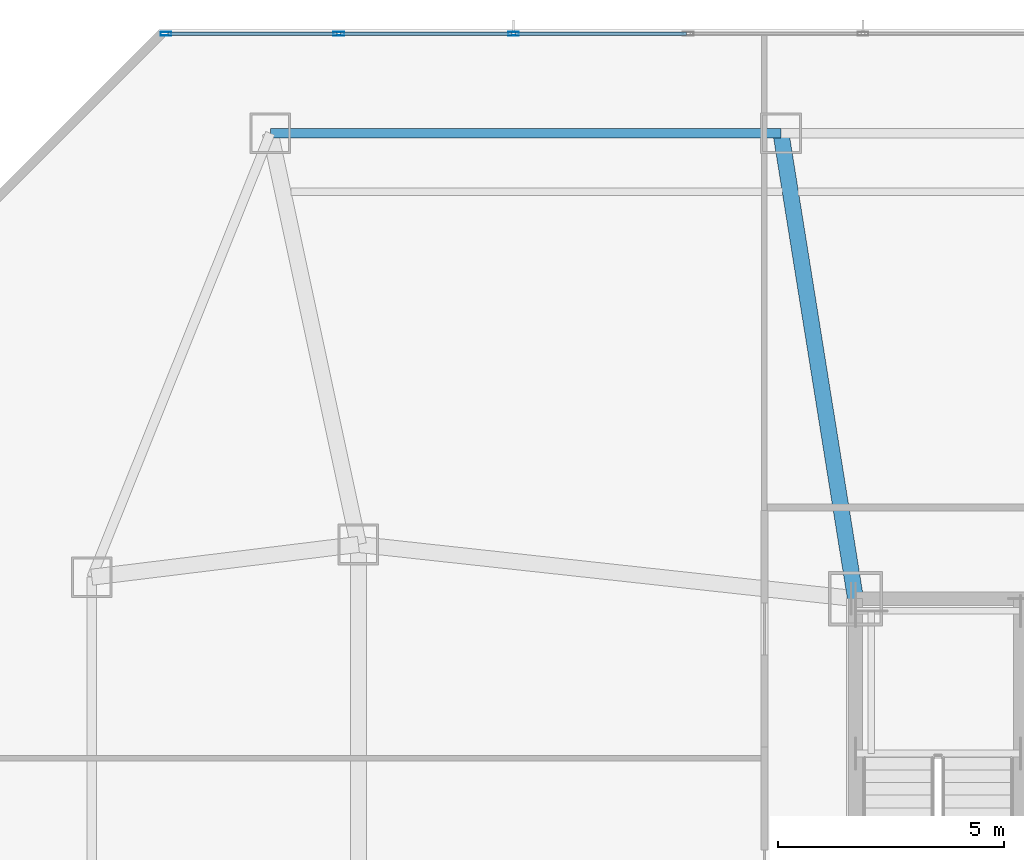
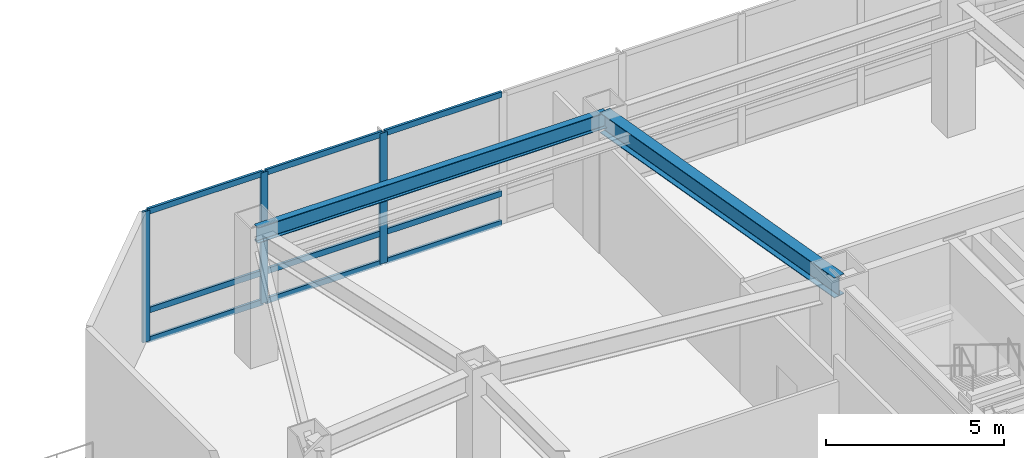
# One storey, part 2 of 16: 12 members, 2 beams, 1 element without a shape of its own.
"""IFC4 building model written with IfcOpenShell, lengths in metres."""

from ifc_helpers import new_model, si_unit, direction, frame, origin, origin_2d, place, context, subcontext, project, spatial, hollow_rectangle, i_section, extrude, material, material_profile, profile_set, type_object, element, aggregate, save


model = new_model("IFC4")

# Units and contexts
model_context = context("Model", 3, precision=1e-05, world=origin(), true_north=direction((0.0, 1.0)))
body_context = subcontext(model_context, "Body", "Model", "MODEL_VIEW")
ifc_project = project(units=[si_unit("LENGTHUNIT", "METRE"), si_unit("AREAUNIT", "SQUARE_METRE"), si_unit("VOLUMEUNIT", "CUBIC_METRE"), si_unit("PLANEANGLEUNIT", "RADIAN"), si_unit("MASSUNIT", "GRAM", prefix="KILO")], contexts=[model_context])

# Site, building, storey
site_placement = place(None, origin())
site = spatial("IfcSite", under=ifc_project, at=site_placement, CompositionType="ELEMENT")
building_placement = place(site_placement, origin())
building = spatial("IfcBuilding", under=site, at=building_placement, Name="Khamvora Tower", CompositionType="ELEMENT")
storey_placement = place(building_placement, frame((0.0, 0.0, 145.699951171875)))
storey = spatial("IfcBuildingStorey", under=building, at=storey_placement, Name="L37", CompositionType="ELEMENT", Elevation=145.699951171875)

# Beams
ifc_material_1 = material(Name="Steel S355", Category="steel")
ifc_material_profile_1 = material_profile(ifc_material_1, i_section(OverallWidth=0.35498046875, OverallDepth=0.695068359375, WebThickness=0.014892578125, FlangeThickness=0.02490234375, FilletRadius=0.01611328125, at=origin_2d()), Name="W690x217")
ifc_profile_set_1 = profile_set([ifc_material_profile_1], Name="Steel S355")
beam_type_1 = type_object("IfcBeamType", Name="BM-PG-W690x217", PredefinedType="BEAM", material=ifc_profile_set_1)
beam_1_placement = place(storey_placement, frame((29.0, 37.0, 4.133056640625), z_axis=(-0.158167584066, 0.987412282358, 0.0), x_axis=(-0.987412282358, -0.158167584066, 0.0)))
element("IfcBeam", 1, at=beam_1_placement, inside=storey, type_object=beam_type_1, Name="L37 primary floor girder N2", PredefinedType="BEAM", context=body_context, shape_type="SweptSolid", body=[
    extrude(i_section(OverallWidth=0.35498046875, OverallDepth=0.695068359375, WebThickness=0.014892578125, FlangeThickness=0.02490234375, FilletRadius=0.01611328125, at=origin_2d()), origin(), (0.0, 0.0, 1.0), 10.431396484375),
])
ifc_material_profile_2 = material_profile(ifc_material_1, i_section(OverallWidth=0.2119140625, OverallDepth=0.5439453125, WebThickness=0.012939453125, FlangeThickness=0.02099609375, FilletRadius=0.013916015625, at=origin_2d()), Name="W530x123")
ifc_profile_set_2 = profile_set([ifc_material_profile_2], Name="Steel S355")
beam_type_2 = type_object("IfcBeamType", Name="BM-SP-W530x123", PredefinedType="SPANDREL", material=ifc_profile_set_2)
beam_2_placement = place(storey_placement, frame((27.35009765625, 47.300048828125, 4.2080078125), z_axis=(-1.0, 0.0, 0.0), x_axis=(0.0, -1.0, 0.0)))
element("IfcBeam", 2, at=beam_2_placement, inside=storey, type_object=beam_type_2, Name="L37 perimeter spandrel beam N2-N1", PredefinedType="SPANDREL", context=body_context, shape_type="SweptSolid", body=[
    extrude(i_section(OverallWidth=0.2119140625, OverallDepth=0.5439453125, WebThickness=0.012939453125, FlangeThickness=0.02099609375, FilletRadius=0.013916015625, at=origin_2d()), origin(), (0.0, 0.0, 1.0), 11.300048828125),
])

# Curtain wall, members
ifc_material_2 = material(Name="Anodised Aluminium 6063-T6", Category="aluminium")
curtain_wall_type = type_object("IfcCurtainWallType", Name="CW-SYS-06", PredefinedType="NOTDEFINED", material=ifc_material_2)
curtain_wall_placement = place(storey_placement, origin())
curtain_wall = element("IfcCurtainWall", 3, at=curtain_wall_placement, inside=storey, type_object=curtain_wall_type, Name="L37 stick curtain wall 07.1", PredefinedType="NOTDEFINED")
ifc_material_profile_3 = material_profile(ifc_material_2, hollow_rectangle(XDim=0.080078125, YDim=0.239990234375, WallThickness=0.0048828125, at=origin_2d()), Name="MUL80x240x5")
ifc_profile_set_3 = profile_set([ifc_material_profile_3], Name="Anodised Aluminium 6063-T6")
member_type_1 = type_object("IfcMemberType", Name="CW-SYS-06-MUL", PredefinedType="MULLION", material=ifc_profile_set_3)
member_1_placement = place(storey_placement, frame((13.741943359375, 49.5, 0.0), z_axis=(0.0, 0.0, 1.0), x_axis=(0.0, 1.0, 0.0)))
member_1 = element("IfcMember", 4, at=member_1_placement, type_object=member_type_1, Name="CW-06 mullion 1", PredefinedType="MULLION", context=body_context, shape_type="SweptSolid", body=[
    extrude(hollow_rectangle(XDim=0.080078125, YDim=0.239990234375, WallThickness=0.0048828125, at=origin_2d()), origin(), (0.0, 0.0, 1.0), 4.47998046875),
])
member_2_placement = place(storey_placement, frame((17.567626953125, 49.5, 0.0), z_axis=(0.0, 0.0, 1.0), x_axis=(0.0, 1.0, 0.0)))
member_2 = element("IfcMember", 5, at=member_2_placement, type_object=member_type_1, Name="CW-06 mullion 2", PredefinedType="MULLION", context=body_context, shape_type="SweptSolid", body=[
    extrude(hollow_rectangle(XDim=0.080078125, YDim=0.239990234375, WallThickness=0.0048828125, at=origin_2d()), origin(), (0.0, 0.0, 1.0), 4.47998046875),
])
member_3_placement = place(storey_placement, frame((21.433349609375, 49.5, 0.0), z_axis=(0.0, 0.0, 1.0), x_axis=(0.0, 1.0, 0.0)))
member_3 = element("IfcMember", 6, at=member_3_placement, type_object=member_type_1, Name="CW-06 mullion 3", PredefinedType="MULLION", context=body_context, shape_type="SweptSolid", body=[
    extrude(hollow_rectangle(XDim=0.080078125, YDim=0.239990234375, WallThickness=0.0048828125, at=origin_2d()), origin(), (0.0, 0.0, 1.0), 4.47998046875),
])
ifc_material_profile_4 = material_profile(ifc_material_2, hollow_rectangle(XDim=0.080078125, YDim=0.195068359375, WallThickness=0.0048828125, at=origin_2d()), Name="TRN80x195x5")
ifc_profile_set_4 = profile_set([ifc_material_profile_4], Name="Anodised Aluminium 6063-T6")
member_type_2 = type_object("IfcMemberType", Name="CW-SYS-06-TRN", PredefinedType="USERDEFINED", material=ifc_profile_set_4)
member_4_placement = place(storey_placement, frame((13.781982421875, 49.5, 0.0400390625), z_axis=(1.0, 0.0, 0.0), x_axis=(0.0, 1.0, 0.0)))
member_4 = element("IfcMember", 7, at=member_4_placement, type_object=member_type_2, Name="CW-06 transom 1.1", ObjectType="TRANSOM", PredefinedType="USERDEFINED", context=body_context, shape_type="SweptSolid", body=[
    extrude(hollow_rectangle(XDim=0.080078125, YDim=0.195068359375, WallThickness=0.0048828125, at=origin_2d()), origin(), (0.0, 0.0, 1.0), 3.74560546875),
])
member_5_placement = place(storey_placement, frame((13.781982421875, 49.5, 1.050048828125), z_axis=(1.0, 0.0, 0.0), x_axis=(0.0, 1.0, 0.0)))
member_5 = element("IfcMember", 8, at=member_5_placement, type_object=member_type_2, Name="CW-06 transom 1.2", ObjectType="TRANSOM", PredefinedType="USERDEFINED", context=body_context, shape_type="SweptSolid", body=[
    extrude(hollow_rectangle(XDim=0.080078125, YDim=0.195068359375, WallThickness=0.0048828125, at=origin_2d()), origin(), (0.0, 0.0, 1.0), 3.74560546875),
])
member_6_placement = place(storey_placement, frame((13.781982421875, 49.5, 4.43994140625), z_axis=(1.0, 0.0, 0.0), x_axis=(0.0, 1.0, 0.0)))
member_6 = element("IfcMember", 9, at=member_6_placement, type_object=member_type_2, Name="CW-06 transom 1.3", ObjectType="TRANSOM", PredefinedType="USERDEFINED", context=body_context, shape_type="SweptSolid", body=[
    extrude(hollow_rectangle(XDim=0.080078125, YDim=0.195068359375, WallThickness=0.0048828125, at=origin_2d()), origin(), (0.0, 0.0, 1.0), 3.74560546875),
])
member_7_placement = place(storey_placement, frame((17.607666015625, 49.5, 0.0400390625), z_axis=(1.0, 0.0, 0.0), x_axis=(0.0, 1.0, 0.0)))
member_7 = element("IfcMember", 10, at=member_7_placement, type_object=member_type_2, Name="CW-06 transom 2.1", ObjectType="TRANSOM", PredefinedType="USERDEFINED", context=body_context, shape_type="SweptSolid", body=[
    extrude(hollow_rectangle(XDim=0.080078125, YDim=0.195068359375, WallThickness=0.0048828125, at=origin_2d()), origin(), (0.0, 0.0, 1.0), 3.78564453125),
])
member_8_placement = place(storey_placement, frame((17.607666015625, 49.5, 1.050048828125), z_axis=(1.0, 0.0, 0.0), x_axis=(0.0, 1.0, 0.0)))
member_8 = element("IfcMember", 11, at=member_8_placement, type_object=member_type_2, Name="CW-06 transom 2.2", ObjectType="TRANSOM", PredefinedType="USERDEFINED", context=body_context, shape_type="SweptSolid", body=[
    extrude(hollow_rectangle(XDim=0.080078125, YDim=0.195068359375, WallThickness=0.0048828125, at=origin_2d()), origin(), (0.0, 0.0, 1.0), 3.78564453125),
])
member_9_placement = place(storey_placement, frame((17.607666015625, 49.5, 4.43994140625), z_axis=(1.0, 0.0, 0.0), x_axis=(0.0, 1.0, 0.0)))
member_9 = element("IfcMember", 12, at=member_9_placement, type_object=member_type_2, Name="CW-06 transom 2.3", ObjectType="TRANSOM", PredefinedType="USERDEFINED", context=body_context, shape_type="SweptSolid", body=[
    extrude(hollow_rectangle(XDim=0.080078125, YDim=0.195068359375, WallThickness=0.0048828125, at=origin_2d()), origin(), (0.0, 0.0, 1.0), 3.78564453125),
])
member_10_placement = place(storey_placement, frame((21.473388671875, 49.5, 0.0400390625), z_axis=(1.0, 0.0, 0.0), x_axis=(0.0, 1.0, 0.0)))
member_10 = element("IfcMember", 13, at=member_10_placement, type_object=member_type_2, Name="CW-06 transom 3.1", ObjectType="TRANSOM", PredefinedType="USERDEFINED", context=body_context, shape_type="SweptSolid", body=[
    extrude(hollow_rectangle(XDim=0.080078125, YDim=0.195068359375, WallThickness=0.0048828125, at=origin_2d()), origin(), (0.0, 0.0, 1.0), 3.78564453125),
])
member_11_placement = place(storey_placement, frame((21.473388671875, 49.5, 1.050048828125), z_axis=(1.0, 0.0, 0.0), x_axis=(0.0, 1.0, 0.0)))
member_11 = element("IfcMember", 14, at=member_11_placement, type_object=member_type_2, Name="CW-06 transom 3.2", ObjectType="TRANSOM", PredefinedType="USERDEFINED", context=body_context, shape_type="SweptSolid", body=[
    extrude(hollow_rectangle(XDim=0.080078125, YDim=0.195068359375, WallThickness=0.0048828125, at=origin_2d()), origin(), (0.0, 0.0, 1.0), 3.78564453125),
])
member_12_placement = place(storey_placement, frame((21.473388671875, 49.5, 4.43994140625), z_axis=(1.0, 0.0, 0.0), x_axis=(0.0, 1.0, 0.0)))
member_12 = element("IfcMember", 15, at=member_12_placement, type_object=member_type_2, Name="CW-06 transom 3.3", ObjectType="TRANSOM", PredefinedType="USERDEFINED", context=body_context, shape_type="SweptSolid", body=[
    extrude(hollow_rectangle(XDim=0.080078125, YDim=0.195068359375, WallThickness=0.0048828125, at=origin_2d()), origin(), (0.0, 0.0, 1.0), 3.78564453125),
])
aggregate(curtain_wall, [member_1, member_2, member_3, member_4, member_5, member_6, member_7, member_8, member_9, member_10, member_11, member_12])

save(model, "model.ifc")
